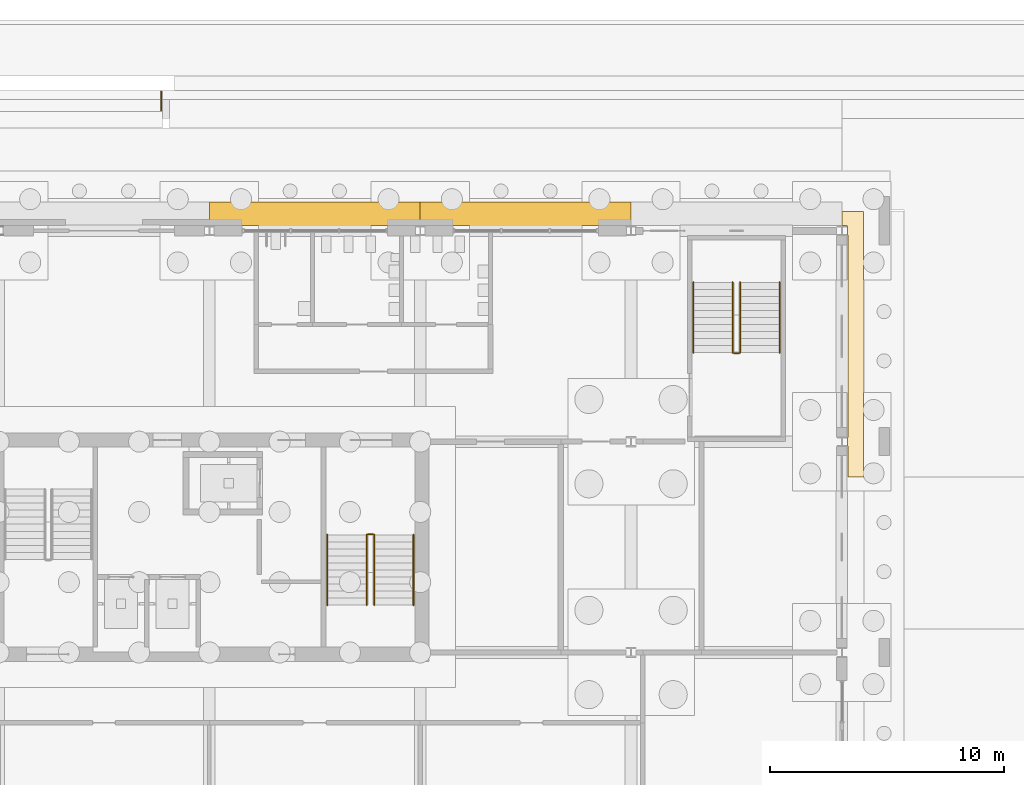
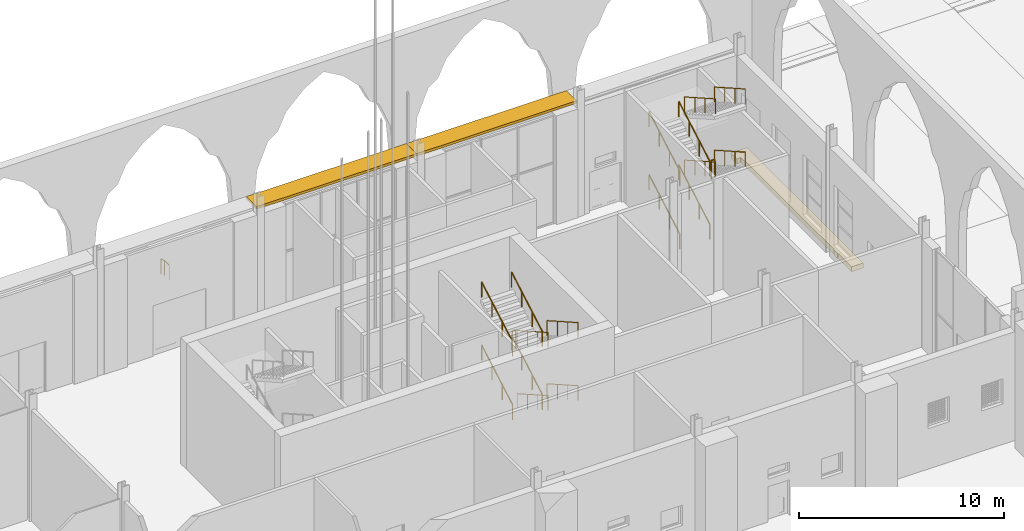
# One storey, part 221 of 250: 19 railings, 2 shading devices, 1 covering.
"""IFC4 building model written with IfcOpenShell, lengths in metres."""

import ifcopenshell
import ifcopenshell.guid

model = None  # the IFC model being written
_history = None  # IfcOwnerHistory: only IFC2X3 demands one
_inside = {}  # id of a spatial element -> (the spatial element, [elements in it])
_under = {}  # id of a project, library or spatial element -> (it, [spatial elements below it])
_declared = {}  # id of a project -> (the project, [libraries it declares])
_typed = {}  # id of a type object -> (the type object, [elements of that type])
_made_of = {}  # id of a material, layer set ... -> (it, [elements and type objects made of it])


def new_model(schema):
    """Start an empty IFC model of exactly this schema.

    Asked for "IFC4X3", IfcOpenShell would pick the latest addendum, in which some entities
    have other attributes; the version numbers below select the first issue.
    IFC2X3 requires an IfcOwnerHistory on every rooted entity: one is made here for all.
    """
    global model, _history
    if schema == "IFC4X3":
        model = ifcopenshell.file(schema_version=(4, 3, 0, 0))
    else:
        model = ifcopenshell.file(schema=schema)
    _inside.clear()
    _under.clear()
    _declared.clear()
    _typed.clear()
    _made_of.clear()
    _history = None
    if model.schema == "IFC2X3":
        org = make("IfcOrganization", Name="unknown")
        user = make(
            "IfcPersonAndOrganization",
            ThePerson=make("IfcPerson", FamilyName="unknown"),
            TheOrganization=org,
        )
        app = make(
            "IfcApplication",
            ApplicationDeveloper=org,
            Version="unknown",
            ApplicationFullName="unknown",
            ApplicationIdentifier="unknown",
        )
        _history = make(
            "IfcOwnerHistory",
            OwningUser=user,
            OwningApplication=app,
            ChangeAction="ADDED",
            CreationDate=0,
        )
    return model


def make(cls, **values):
    """One entity of the class cls with the attributes given. An attribute that is None is left unset."""
    return model.create_entity(
        cls, **{name: value for name, value in values.items() if value is not None}
    )


def rooted(cls, **values):
    """An entity with a GlobalId (a new one), such as an element, a storey or a relation."""
    return make(cls, GlobalId=ifcopenshell.guid.new(), OwnerHistory=_history, **values)


def si_unit(unit_type, name, prefix=None):
    """IfcSIUnit, for example si_unit("LENGTHUNIT", "METRE", prefix="MILLI")."""
    return make("IfcSIUnit", UnitType=unit_type, Prefix=prefix, Name=name)


def assignment(units):
    """IfcUnitAssignment: the units of a project."""
    return None if units is None else make("IfcUnitAssignment", Units=units)


def point(xyz):
    """IfcCartesianPoint."""
    return None if xyz is None else make("IfcCartesianPoint", Coordinates=xyz)


def direction(xyz):
    """IfcDirection."""
    return None if xyz is None else make("IfcDirection", DirectionRatios=xyz)


def frame(location, z_axis=None, x_axis=None):
    """IfcAxis2Placement3D, a coordinate frame: its origin and axes. An axis left out is left unset."""
    return make(
        "IfcAxis2Placement3D",
        Location=point(location),
        Axis=direction(z_axis),
        RefDirection=direction(x_axis),
    )


def frame_2d(location, x_axis=None):
    """IfcAxis2Placement2D, a coordinate frame in the plane: its origin and x axis."""
    return make(
        "IfcAxis2Placement2D", Location=point(location), RefDirection=direction(x_axis)
    )


def origin():
    """The frame at (0, 0, 0) with its axes left unset."""
    return frame((0.0, 0.0, 0.0))


def origin_2d():
    """The frame at (0, 0) in the plane with its x axis left unset."""
    return frame_2d((0.0, 0.0))


def place(relative_to, where):
    """IfcLocalPlacement: puts the frame where relative to a parent placement (None: the world)."""
    return make(
        "IfcLocalPlacement", PlacementRelTo=relative_to, RelativePlacement=where
    )


def context(
    kind, dimensions, precision=None, world=None, true_north=None, identifier=None
):
    """IfcGeometricRepresentationContext, for example the 3D "Model" context."""
    return make(
        "IfcGeometricRepresentationContext",
        ContextIdentifier=identifier,
        ContextType=kind,
        CoordinateSpaceDimension=dimensions,
        Precision=precision,
        WorldCoordinateSystem=world,
        TrueNorth=true_north,
    )


def subcontext(parent, identifier, kind, view, scale=None):
    """IfcGeometricRepresentationSubContext, for example "Body" below "Model"."""
    return make(
        "IfcGeometricRepresentationSubContext",
        ContextIdentifier=identifier,
        ContextType=kind,
        ParentContext=parent,
        TargetScale=scale,
        TargetView=view,
    )


def project(units=None, contexts=None):
    """IfcProject with its units and contexts."""
    return rooted(
        "IfcProject",
        Name="project",
        RepresentationContexts=contexts,
        UnitsInContext=assignment(units),
    )


def spatial(cls, under=None, at=None, **own):
    """A site, building, storey or space (cls), placed at a placement, below another one or the project."""
    s = rooted(cls, ObjectPlacement=at, **own)
    if under is not None:
        _under.setdefault(under.id(), (under, []))[1].append(s)
    return s


def polyline(points):
    """IfcPolyline through the points."""
    return make("IfcPolyline", Points=[point(p) for p in points])


def profile(cls, at=None, kind="AREA", **sizes):
    """A parametric profile (cls). Its sizes go by their IFC names, for example OverallWidth=200.0."""
    return make(cls, ProfileType=kind, Position=at, **sizes)


def rectangle(**sizes):
    """IfcRectangleProfileDef."""
    return profile("IfcRectangleProfileDef", **sizes)


def circle(**sizes):
    """IfcCircleProfileDef."""
    return profile("IfcCircleProfileDef", **sizes)


def outline(outer, holes=None, kind="AREA"):
    """IfcArbitraryClosedProfileDef: a profile drawn as a closed curve; with holes, ...WithVoids."""
    if holes is None:
        return make("IfcArbitraryClosedProfileDef", ProfileType=kind, OuterCurve=outer)
    return make(
        "IfcArbitraryProfileDefWithVoids",
        ProfileType=kind,
        OuterCurve=outer,
        InnerCurves=holes,
    )


def extrude(swept, where, along, depth):
    """IfcExtrudedAreaSolid: the profile swept, set in the frame where, extruded along a direction by depth."""
    return make(
        "IfcExtrudedAreaSolid",
        SweptArea=swept,
        Position=where,
        ExtrudedDirection=direction(along),
        Depth=depth,
    )


def shape(context_of_items, identifier, shape_type, items):
    """IfcShapeRepresentation: the items that make up one representation, for example the "Body"."""
    return make(
        "IfcShapeRepresentation",
        ContextOfItems=context_of_items,
        RepresentationIdentifier=identifier,
        RepresentationType=shape_type,
        Items=items,
    )


def material(Name=None, Category=None):
    """IfcMaterial."""
    return make("IfcMaterial", Name=Name, Category=Category)


def layer(
    of_material, thickness, ventilated=None, Name=None, Category=None, Priority=None
):
    """IfcMaterialLayer: one layer of a wall or slab, of a material (None: an air gap)."""
    return make(
        "IfcMaterialLayer",
        Material=of_material,
        LayerThickness=thickness,
        IsVentilated=ventilated,
        Name=Name,
        Category=Category,
        Priority=Priority,
    )


def layer_set(layers, Name=None):
    """IfcMaterialLayerSet."""
    return make("IfcMaterialLayerSet", MaterialLayers=layers, LayerSetName=Name)


def made_of(thing, what):
    """Note that an element or type object is made of a material, layer set ...; save() writes the relation."""
    if what is not None:
        _made_of.setdefault(what.id(), (what, []))[1].append(thing)
    return thing


def type_object(cls, material=None, **own):
    """A type object (cls), such as IfcWallType, which elements share."""
    return made_of(rooted(cls, **own), material)


def element(
    cls,
    number,
    at=None,
    inside=None,
    cuts=None,
    type_object=None,
    material=None,
    context=None,
    identifier="Body",
    shape_type=None,
    held_by="IfcProductDefinitionShape",
    body=None,
    shapes=None,
    **own,
):
    """One element of the class cls, such as IfcWall. Its Tag is "e" and its number.

    at: its placement. inside: the storey or other place that contains it. cuts: it is an
    opening in that element (IfcRelVoidsElement). A single representation is given by context,
    identifier, shape_type and body (its items); several are given by shapes. held_by: the class
    of the entity that holds the representations. save() writes the other relations.
    """
    e = rooted(cls, Tag="e%d" % number, ObjectPlacement=at, **own)
    if body is not None:
        shapes = [shape(context, identifier, shape_type, body)]
    if shapes is not None:
        e.Representation = make(held_by, Representations=shapes)
    if inside is not None:
        _inside.setdefault(inside.id(), (inside, []))[1].append(e)
    if cuts is not None:
        rooted(
            "IfcRelVoidsElement", RelatingBuildingElement=cuts, RelatedOpeningElement=e
        )
    if type_object is not None:
        _typed.setdefault(type_object.id(), (type_object, []))[1].append(e)
    return made_of(e, material)


def aggregate(whole, parts):
    """IfcRelAggregates: a whole, such as a stair, and the parts it consists of."""
    return rooted("IfcRelAggregates", RelatingObject=whole, RelatedObjects=parts)


def save(model, path):
    """Write the relations noted so far, then the file.

    IfcRelAggregates (storeys below a building ...), IfcRelContainedInSpatialStructure (elements
    in a storey), IfcRelDefinesByType, IfcRelAssociatesMaterial and IfcRelDeclares: one each for
    every whole, place, type object, material and project.
    """
    for whole, parts in _under.values():
        aggregate(whole, parts)
    for where, things in _inside.values():
        rooted(
            "IfcRelContainedInSpatialStructure",
            RelatedElements=things,
            RelatingStructure=where,
        )
    for kind, things in _typed.values():
        rooted("IfcRelDefinesByType", RelatedObjects=things, RelatingType=kind)
    for what, things in _made_of.values():
        rooted("IfcRelAssociatesMaterial", RelatedObjects=things, RelatingMaterial=what)
    for by, libraries in _declared.values():
        rooted("IfcRelDeclares", RelatingContext=by, RelatedDefinitions=libraries)
    model.write(path)


model = new_model("IFC4")

# Units and contexts
model_context = context("Model", 3, precision=1e-05, world=origin(), true_north=direction((0.0, 1.0)))
body_context = subcontext(model_context, "Body", "Model", "MODEL_VIEW")
ifc_project = project(units=[si_unit("LENGTHUNIT", "METRE"), si_unit("AREAUNIT", "SQUARE_METRE"), si_unit("VOLUMEUNIT", "CUBIC_METRE"), si_unit("PLANEANGLEUNIT", "RADIAN"), si_unit("MASSUNIT", "GRAM", prefix="KILO")], contexts=[model_context])

# Site, building, storey
site_placement = place(None, origin())
site = spatial("IfcSite", under=ifc_project, at=site_placement, CompositionType="ELEMENT")
building_placement = place(site_placement, origin())
building = spatial("IfcBuilding", under=site, at=building_placement, Name="Baradari Gate Terminus", CompositionType="ELEMENT")
storey_placement = place(building_placement, origin())
storey = spatial("IfcBuildingStorey", under=building, at=storey_placement, Name="L00", CompositionType="ELEMENT", Elevation=0.0)

# Shading devices
ifc_material_1 = material(Name="Concrete C40/50 precast", Category="concrete")
ifc_layer_1 = layer(ifc_material_1, 0.14990234375)
ifc_layer_set_1 = layer_set([ifc_layer_1], Name="Concrete C40/50 precast")
shading_device_type = type_object("IfcShadingDeviceType", Name="Chhajja eave CJ-2 1000x150", PredefinedType="AWNING", material=ifc_layer_set_1)
for number, where, z_axis, x_axis, name in (
    (1, (40.5, 144.72509765625, 6.459716796875), (0.0, 0.0, 1.0), (1.0, 0.0, 0.0), "Operations block base chhajja cornice bay 4"),
    (2, (49.5, 144.72509765625, 6.459716796875), (0.0, 0.0, 1.0), (1.0, 0.0, 0.0), "Operations block base chhajja cornice bay 5"),
):
    element("IfcShadingDevice", number, at=place(storey_placement, frame(where, z_axis=z_axis, x_axis=x_axis)), inside=storey, type_object=shading_device_type, Name=name, PredefinedType="AWNING", context=body_context, shape_type="SweptSolid", body=[
        extrude(rectangle(XDim=9.0, YDim=1.0, at=origin_2d()), origin(), (0.0, 0.0, 1.0), 0.14990234375),
    ])

# Railings
ifc_material_2 = material(Name="Stainless steel 1.4301", Category="steel")
railing_type_1 = type_object("IfcRailingType", Name="Guard GR-1 1100", PredefinedType="GUARDRAIL", material=ifc_material_2)
railing_1_placement = place(storey_placement, frame((42.77490234375, 131.054931640625, 3.75)))
element("IfcRailing", 3, at=railing_1_placement, inside=storey, type_object=railing_type_1, Name="Landing guard ST-T2 L00", PredefinedType="GUARDRAIL", context=body_context, shape_type="SweptSolid", body=[
    extrude(circle(Radius=0.02392578125, at=origin_2d()), frame((0.0, 0.0, 1.076171875), z_axis=(1.0, 0.0, 0.0), x_axis=(0.0, 1.0, 0.0)), (0.0, 0.0, 1.0), 0.2001953125),
    extrude(circle(Radius=0.02099609375, at=origin_2d()), origin(), (0.0, 0.0, 1.0), 1.052001953125),
    extrude(circle(Radius=0.02099609375, at=origin_2d()), frame((0.2001953125, 0.0, 0.0)), (0.0, 0.0, 1.0), 1.052001953125),
])
railing_2_placement = place(storey_placement, frame((58.60009765625, 138.77001953125, 3.75)))
element("IfcRailing", 4, at=railing_2_placement, inside=storey, type_object=railing_type_1, Name="Landing guard ST-T3 L00", PredefinedType="GUARDRAIL", context=body_context, shape_type="SweptSolid", body=[
    extrude(circle(Radius=0.02392578125, at=origin_2d()), frame((0.0, 0.0, 1.076171875), z_axis=(-1.0, 0.0, 0.0), x_axis=(0.0, -1.0, 0.0)), (0.0, 0.0, 1.0), 0.2001953125),
    extrude(circle(Radius=0.02099609375, at=origin_2d()), origin(), (0.0, 0.0, 1.0), 1.052001953125),
    extrude(circle(Radius=0.02099609375, at=origin_2d()), frame((-0.2001953125, 0.0, 0.0)), (0.0, 0.0, 1.0), 1.052001953125),
])
ifc_material_3 = material(Name="Stainless steel 1.4301", Category="steel")
railing_type_2 = type_object("IfcRailingType", Name="Handrail HR-1 900", PredefinedType="HANDRAIL", material=ifc_material_3)
for number, where, name in (
    (5, (44.715087890625, 131.02490234375, 0.17041015625), "Handrail ST-T2 L00 flight 1"),
    (6, (43.034912109375, 131.02490234375, 0.17041015625), "Handrail ST-T2 L00 flight 1"),
):
    element("IfcRailing", number, at=place(storey_placement, frame(where)), inside=storey, type_object=railing_type_2, Name=name, PredefinedType="HANDRAIL", context=body_context, shape_type="SweptSolid", body=[
        extrude(circle(Radius=0.02392578125, at=origin_2d()), frame((0.0, 0.0, 0.8759765625), z_axis=(0.0, -0.869451031676, 0.494019132744), x_axis=(1.0, 0.0, 0.0)), (0.0, 0.0, 1.0), 3.450439453125),
        extrude(circle(Radius=0.02099609375, at=origin_2d()), origin(), (0.0, 0.0, 1.0), 0.851806640625),
        extrude(circle(Radius=0.02099609375, at=origin_2d()), frame((0.0, -1.0, 0.568115234375)), (0.0, 0.0, 1.0), 0.851806640625),
        extrude(circle(Radius=0.02099609375, at=origin_2d()), frame((0.0, -2.0, 1.136474609375)), (0.0, 0.0, 1.0), 0.851806640625),
        extrude(circle(Radius=0.02099609375, at=origin_2d()), frame((0.0, -3.0, 1.70458984375)), (0.0, 0.0, 1.0), 0.851806640625),
    ])
for number, where, name in (
    (7, (42.715087890625, 128.02490234375, 2.04541015625), "Handrail ST-T2 L00 flight 2"),
    (8, (41.034912109375, 128.02490234375, 2.04541015625), "Handrail ST-T2 L00 flight 2"),
):
    element("IfcRailing", number, at=place(storey_placement, frame(where)), inside=storey, type_object=railing_type_2, Name=name, PredefinedType="HANDRAIL", context=body_context, shape_type="SweptSolid", body=[
        extrude(circle(Radius=0.02392578125, at=origin_2d()), frame((0.0, 0.0, 0.8759765625), z_axis=(0.0, 0.869451031676, 0.494019132744), x_axis=(-1.0, 0.0, 0.0)), (0.0, 0.0, 1.0), 3.450439453125),
        extrude(circle(Radius=0.02099609375, at=origin_2d()), origin(), (0.0, 0.0, 1.0), 0.851806640625),
        extrude(circle(Radius=0.02099609375, at=origin_2d()), frame((0.0, 1.0, 0.568115234375)), (0.0, 0.0, 1.0), 0.851806640625),
        extrude(circle(Radius=0.02099609375, at=origin_2d()), frame((0.0, 2.0, 1.136474609375)), (0.0, 0.0, 1.0), 0.851806640625),
        extrude(circle(Radius=0.02099609375, at=origin_2d()), frame((0.0, 3.0, 1.70458984375)), (0.0, 0.0, 1.0), 0.851806640625),
    ])
for number, where, name in (
    (9, (44.715087890625, 131.02490234375, 3.92041015625), "Handrail ST-T2 L00 flight 3"),
    (10, (43.034912109375, 131.02490234375, 3.92041015625), "Handrail ST-T2 L00 flight 3"),
):
    element("IfcRailing", number, at=place(storey_placement, frame(where)), inside=storey, type_object=railing_type_2, Name=name, PredefinedType="HANDRAIL", context=body_context, shape_type="SweptSolid", body=[
        extrude(circle(Radius=0.02392578125, at=origin_2d()), frame((0.0, 0.0, 0.8759765625), z_axis=(0.0, -0.869451031676, 0.494019132744), x_axis=(1.0, 0.0, 0.0)), (0.0, 0.0, 1.0), 3.450439453125),
        extrude(circle(Radius=0.02099609375, at=origin_2d()), origin(), (0.0, 0.0, 1.0), 0.851806640625),
        extrude(circle(Radius=0.02099609375, at=origin_2d()), frame((0.0, -1.0, 0.568115234375)), (0.0, 0.0, 1.0), 0.851806640625),
        extrude(circle(Radius=0.02099609375, at=origin_2d()), frame((0.0, -2.0, 1.136474609375)), (0.0, 0.0, 1.0), 0.851806640625),
        extrude(circle(Radius=0.02099609375, at=origin_2d()), frame((0.0, -3.0, 1.70458984375)), (0.0, 0.0, 1.0), 0.851806640625),
    ])
for number, where, name in (
    (11, (42.715087890625, 128.02490234375, 5.79541015625), "Handrail ST-T2 L00 flight 4"),
    (12, (41.034912109375, 128.02490234375, 5.79541015625), "Handrail ST-T2 L00 flight 4"),
    (13, (56.659912109375, 138.800048828125, 0.17041015625), "Handrail ST-T3 L00 flight 1"),
    (14, (58.340087890625, 138.800048828125, 0.17041015625), "Handrail ST-T3 L00 flight 1"),
):
    element("IfcRailing", number, at=place(storey_placement, frame(where)), inside=storey, type_object=railing_type_2, Name=name, PredefinedType="HANDRAIL", context=body_context, shape_type="SweptSolid", body=[
        extrude(circle(Radius=0.02392578125, at=origin_2d()), frame((0.0, 0.0, 0.8759765625), z_axis=(0.0, 0.869451031676, 0.494019132744), x_axis=(-1.0, 0.0, 0.0)), (0.0, 0.0, 1.0), 3.450439453125),
        extrude(circle(Radius=0.02099609375, at=origin_2d()), origin(), (0.0, 0.0, 1.0), 0.851806640625),
        extrude(circle(Radius=0.02099609375, at=origin_2d()), frame((0.0, 1.0, 0.568115234375)), (0.0, 0.0, 1.0), 0.851806640625),
        extrude(circle(Radius=0.02099609375, at=origin_2d()), frame((0.0, 2.0, 1.136474609375)), (0.0, 0.0, 1.0), 0.851806640625),
        extrude(circle(Radius=0.02099609375, at=origin_2d()), frame((0.0, 3.0, 1.70458984375)), (0.0, 0.0, 1.0), 0.851806640625),
    ])
for number, where, name in (
    (15, (58.659912109375, 141.800048828125, 2.04541015625), "Handrail ST-T3 L00 flight 2"),
    (16, (60.340087890625, 141.800048828125, 2.04541015625), "Handrail ST-T3 L00 flight 2"),
):
    element("IfcRailing", number, at=place(storey_placement, frame(where)), inside=storey, type_object=railing_type_2, Name=name, PredefinedType="HANDRAIL", context=body_context, shape_type="SweptSolid", body=[
        extrude(circle(Radius=0.02392578125, at=origin_2d()), frame((0.0, 0.0, 0.8759765625), z_axis=(0.0, -0.869451031676, 0.494019132744), x_axis=(1.0, 0.0, 0.0)), (0.0, 0.0, 1.0), 3.450439453125),
        extrude(circle(Radius=0.02099609375, at=origin_2d()), origin(), (0.0, 0.0, 1.0), 0.851806640625),
        extrude(circle(Radius=0.02099609375, at=origin_2d()), frame((0.0, -1.0, 0.568115234375)), (0.0, 0.0, 1.0), 0.851806640625),
        extrude(circle(Radius=0.02099609375, at=origin_2d()), frame((0.0, -2.0, 1.136474609375)), (0.0, 0.0, 1.0), 0.851806640625),
        extrude(circle(Radius=0.02099609375, at=origin_2d()), frame((0.0, -3.0, 1.70458984375)), (0.0, 0.0, 1.0), 0.851806640625),
    ])
for number, where, name in (
    (17, (56.659912109375, 138.800048828125, 3.92041015625), "Handrail ST-T3 L00 flight 3"),
    (18, (58.340087890625, 138.800048828125, 3.92041015625), "Handrail ST-T3 L00 flight 3"),
):
    element("IfcRailing", number, at=place(storey_placement, frame(where)), inside=storey, type_object=railing_type_2, Name=name, PredefinedType="HANDRAIL", context=body_context, shape_type="SweptSolid", body=[
        extrude(circle(Radius=0.02392578125, at=origin_2d()), frame((0.0, 0.0, 0.8759765625), z_axis=(0.0, 0.869451031676, 0.494019132744), x_axis=(-1.0, 0.0, 0.0)), (0.0, 0.0, 1.0), 3.450439453125),
        extrude(circle(Radius=0.02099609375, at=origin_2d()), origin(), (0.0, 0.0, 1.0), 0.851806640625),
        extrude(circle(Radius=0.02099609375, at=origin_2d()), frame((0.0, 1.0, 0.568115234375)), (0.0, 0.0, 1.0), 0.851806640625),
        extrude(circle(Radius=0.02099609375, at=origin_2d()), frame((0.0, 2.0, 1.136474609375)), (0.0, 0.0, 1.0), 0.851806640625),
        extrude(circle(Radius=0.02099609375, at=origin_2d()), frame((0.0, 3.0, 1.70458984375)), (0.0, 0.0, 1.0), 0.851806640625),
    ])
for number, where, name in (
    (19, (58.659912109375, 141.800048828125, 5.79541015625), "Handrail ST-T3 L00 flight 4"),
    (20, (60.340087890625, 141.800048828125, 5.79541015625), "Handrail ST-T3 L00 flight 4"),
):
    element("IfcRailing", number, at=place(storey_placement, frame(where)), inside=storey, type_object=railing_type_2, Name=name, PredefinedType="HANDRAIL", context=body_context, shape_type="SweptSolid", body=[
        extrude(circle(Radius=0.02392578125, at=origin_2d()), frame((0.0, 0.0, 0.8759765625), z_axis=(0.0, -0.869451031676, 0.494019132744), x_axis=(1.0, 0.0, 0.0)), (0.0, 0.0, 1.0), 3.450439453125),
        extrude(circle(Radius=0.02099609375, at=origin_2d()), origin(), (0.0, 0.0, 1.0), 0.851806640625),
        extrude(circle(Radius=0.02099609375, at=origin_2d()), frame((0.0, -1.0, 0.568115234375)), (0.0, 0.0, 1.0), 0.851806640625),
        extrude(circle(Radius=0.02099609375, at=origin_2d()), frame((0.0, -2.0, 1.136474609375)), (0.0, 0.0, 1.0), 0.851806640625),
        extrude(circle(Radius=0.02099609375, at=origin_2d()), frame((0.0, -3.0, 1.70458984375)), (0.0, 0.0, 1.0), 0.851806640625),
    ])
railing_3_placement = place(storey_placement, frame((33.93994140625, 149.949951171875, -0.11376953125)))
element("IfcRailing", 21, at=railing_3_placement, inside=storey, type_object=railing_type_2, Name="Handrail of North-west gate steps 2", PredefinedType="HANDRAIL", context=body_context, shape_type="SweptSolid", body=[
    extrude(circle(Radius=0.02392578125, at=origin_2d()), frame((0.0, 0.0, 0.8759765625), z_axis=(0.0, -0.950980408871, 0.309251130868), x_axis=(1.0, 0.0, 0.0)), (0.0, 0.0, 1.0), 0.367919921875),
    extrude(circle(Radius=0.02392578125, at=origin_2d()), frame((0.0, -0.349853515625, 0.98974609375), z_axis=(0.0, -1.0, 0.0), x_axis=(1.0, 0.0, 0.0)), (0.0, 0.0, 1.0), 0.4501953125),
    extrude(circle(Radius=0.02099609375, at=origin_2d()), origin(), (0.0, 0.0, 1.0), 0.851806640625),
    extrude(circle(Radius=0.02099609375, at=origin_2d()), frame((0.0, -0.349853515625, 0.11376953125)), (0.0, 0.0, 1.0), 0.851806640625),
    extrude(circle(Radius=0.02099609375, at=origin_2d()), frame((0.0, -0.800048828125, 0.11376953125)), (0.0, 0.0, 1.0), 0.851806640625),
])

# Covering
ifc_material_4 = material(Name="Planted lawn")
ifc_layer_2 = layer(ifc_material_4, 0.300048828125)
ifc_layer_set_2 = layer_set([ifc_layer_2], Name="Planted lawn")
covering_type = type_object("IfcCoveringType", Name="Planted lawn bed LW-1 300", PredefinedType="USERDEFINED", material=ifc_layer_set_2)
covering_placement = place(storey_placement, frame((0.0, 0.0, -0.300048828125)))
element("IfcCovering", 22, at=covering_placement, inside=storey, type_object=covering_type, Name="Planted lawn 18", ObjectType="LAWN", PredefinedType="USERDEFINED", context=body_context, shape_type="SweptSolid", body=[
    extrude(outline(polyline([(63.919921875, 144.820068359375), (63.0, 144.820068359375), (63.0, 144.226806640625), (63.199462890625, 144.226806640625), (63.202392578125, 144.2265625), (63.205322265625, 144.226318359375), (63.208251953125, 144.2255859375), (63.2109375, 144.224609375), (63.213623046875, 144.22314453125), (63.216064453125, 144.2216796875), (63.218505859375, 144.219970703125), (63.220703125, 144.218017578125), (63.22265625, 144.2158203125), (63.224365234375, 144.21337890625), (63.22607421875, 144.2109375), (63.227294921875, 144.208251953125), (63.228271484375, 144.20556640625), (63.22900390625, 144.20263671875), (63.229248046875, 144.19970703125), (63.2294921875, 144.19677734375), (63.2294921875, 143.832763671875), (63.23095703125, 143.83251953125), (63.233642578125, 143.831787109375), (63.236572265625, 143.830810546875), (63.2392578125, 143.82958984375), (63.24169921875, 143.828125), (63.244140625, 143.826416015625), (63.24609375, 143.824462890625), (63.248291015625, 143.822265625), (63.25, 143.81982421875), (63.25146484375, 143.8173828125), (63.252685546875, 143.814697265625), (63.253662109375, 143.81201171875), (63.25439453125, 143.80908203125), (63.2548828125, 143.80615234375), (63.2548828125, 143.80322265625), (63.2548828125, 135.19677734375), (63.2548828125, 135.19384765625), (63.25439453125, 135.19091796875), (63.253662109375, 135.18798828125), (63.252685546875, 135.185302734375), (63.25146484375, 135.1826171875), (63.25, 135.18017578125), (63.248291015625, 135.177734375), (63.24609375, 135.175537109375), (63.244140625, 135.173583984375), (63.24169921875, 135.171875), (63.2392578125, 135.17041015625), (63.236572265625, 135.169189453125), (63.233642578125, 135.168212890625), (63.23095703125, 135.16748046875), (63.2294921875, 135.167236328125), (63.2294921875, 134.832763671875), (63.23095703125, 134.83251953125), (63.233642578125, 134.831787109375), (63.236572265625, 134.830810546875), (63.2392578125, 134.82958984375), (63.24169921875, 134.828125), (63.244140625, 134.826416015625), (63.24609375, 134.824462890625), (63.248291015625, 134.822265625), (63.25, 134.81982421875), (63.25146484375, 134.8173828125), (63.252685546875, 134.814697265625), (63.253662109375, 134.81201171875), (63.25439453125, 134.80908203125), (63.2548828125, 134.80615234375), (63.2548828125, 134.80322265625), (63.2548828125, 133.5), (63.919921875, 133.5), (63.919921875, 144.820068359375)])), origin(), (0.0, 0.0, 1.0), 0.300048828125),
])

save(model, "model.ifc")
